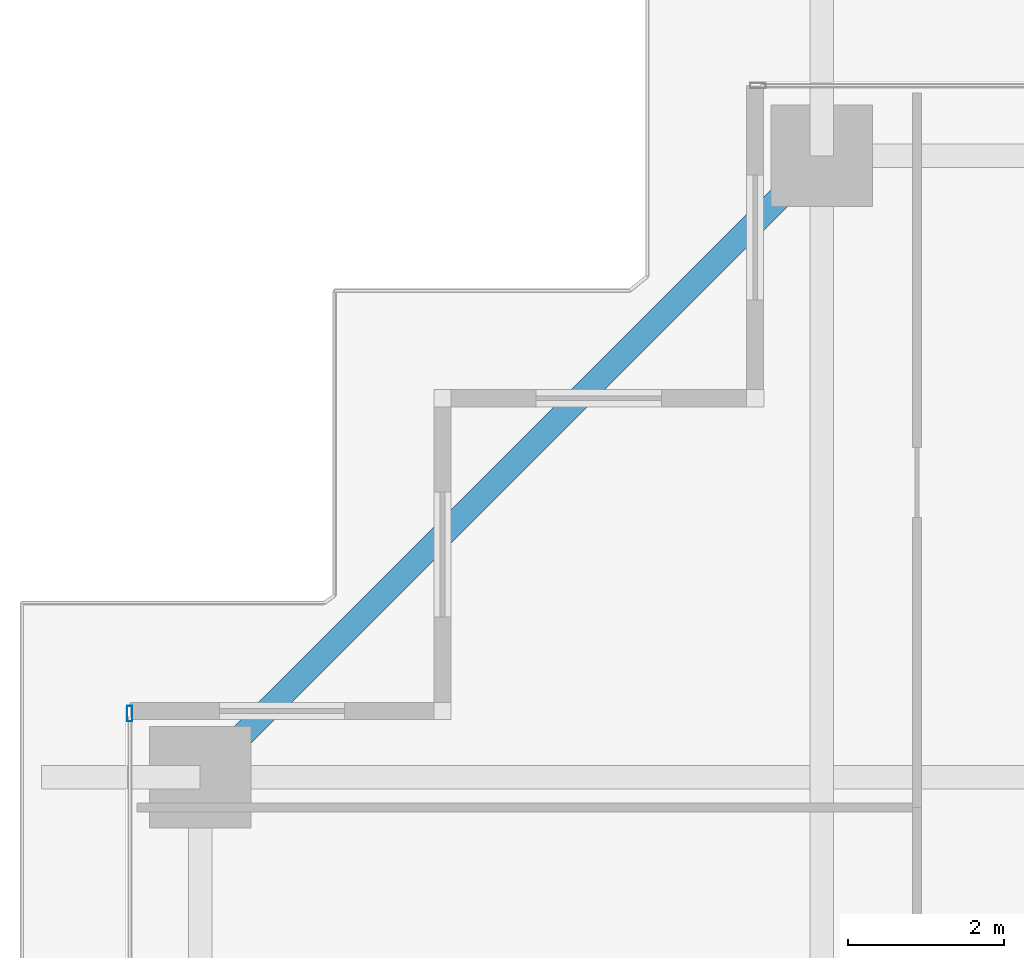
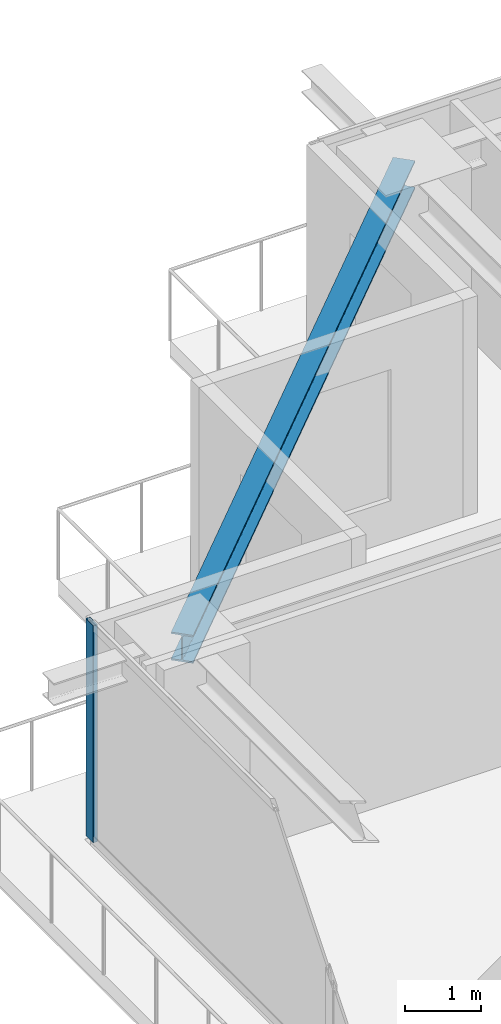
# One storey, part 19 of 38: 1 beam, 1 member, 1 element without a shape of its own.
"""IFC4 building model written with IfcOpenShell, lengths in metres."""

import ifcopenshell
import ifcopenshell.guid

model = None  # the IFC model being written
_history = None  # IfcOwnerHistory: only IFC2X3 demands one
_inside = {}  # id of a spatial element -> (the spatial element, [elements in it])
_under = {}  # id of a project, library or spatial element -> (it, [spatial elements below it])
_declared = {}  # id of a project -> (the project, [libraries it declares])
_typed = {}  # id of a type object -> (the type object, [elements of that type])
_made_of = {}  # id of a material, layer set ... -> (it, [elements and type objects made of it])


def new_model(schema):
    """Start an empty IFC model of exactly this schema.

    Asked for "IFC4X3", IfcOpenShell would pick the latest addendum, in which some entities
    have other attributes; the version numbers below select the first issue.
    IFC2X3 requires an IfcOwnerHistory on every rooted entity: one is made here for all.
    """
    global model, _history
    if schema == "IFC4X3":
        model = ifcopenshell.file(schema_version=(4, 3, 0, 0))
    else:
        model = ifcopenshell.file(schema=schema)
    _inside.clear()
    _under.clear()
    _declared.clear()
    _typed.clear()
    _made_of.clear()
    _history = None
    if model.schema == "IFC2X3":
        org = make("IfcOrganization", Name="unknown")
        user = make(
            "IfcPersonAndOrganization",
            ThePerson=make("IfcPerson", FamilyName="unknown"),
            TheOrganization=org,
        )
        app = make(
            "IfcApplication",
            ApplicationDeveloper=org,
            Version="unknown",
            ApplicationFullName="unknown",
            ApplicationIdentifier="unknown",
        )
        _history = make(
            "IfcOwnerHistory",
            OwningUser=user,
            OwningApplication=app,
            ChangeAction="ADDED",
            CreationDate=0,
        )
    return model


def make(cls, **values):
    """One entity of the class cls with the attributes given. An attribute that is None is left unset."""
    return model.create_entity(
        cls, **{name: value for name, value in values.items() if value is not None}
    )


def rooted(cls, **values):
    """An entity with a GlobalId (a new one), such as an element, a storey or a relation."""
    return make(cls, GlobalId=ifcopenshell.guid.new(), OwnerHistory=_history, **values)


def si_unit(unit_type, name, prefix=None):
    """IfcSIUnit, for example si_unit("LENGTHUNIT", "METRE", prefix="MILLI")."""
    return make("IfcSIUnit", UnitType=unit_type, Prefix=prefix, Name=name)


def assignment(units):
    """IfcUnitAssignment: the units of a project."""
    return None if units is None else make("IfcUnitAssignment", Units=units)


def point(xyz):
    """IfcCartesianPoint."""
    return None if xyz is None else make("IfcCartesianPoint", Coordinates=xyz)


def direction(xyz):
    """IfcDirection."""
    return None if xyz is None else make("IfcDirection", DirectionRatios=xyz)


def frame(location, z_axis=None, x_axis=None):
    """IfcAxis2Placement3D, a coordinate frame: its origin and axes. An axis left out is left unset."""
    return make(
        "IfcAxis2Placement3D",
        Location=point(location),
        Axis=direction(z_axis),
        RefDirection=direction(x_axis),
    )


def frame_2d(location, x_axis=None):
    """IfcAxis2Placement2D, a coordinate frame in the plane: its origin and x axis."""
    return make(
        "IfcAxis2Placement2D", Location=point(location), RefDirection=direction(x_axis)
    )


def origin():
    """The frame at (0, 0, 0) with its axes left unset."""
    return frame((0.0, 0.0, 0.0))


def origin_2d():
    """The frame at (0, 0) in the plane with its x axis left unset."""
    return frame_2d((0.0, 0.0))


def place(relative_to, where):
    """IfcLocalPlacement: puts the frame where relative to a parent placement (None: the world)."""
    return make(
        "IfcLocalPlacement", PlacementRelTo=relative_to, RelativePlacement=where
    )


def context(
    kind, dimensions, precision=None, world=None, true_north=None, identifier=None
):
    """IfcGeometricRepresentationContext, for example the 3D "Model" context."""
    return make(
        "IfcGeometricRepresentationContext",
        ContextIdentifier=identifier,
        ContextType=kind,
        CoordinateSpaceDimension=dimensions,
        Precision=precision,
        WorldCoordinateSystem=world,
        TrueNorth=true_north,
    )


def subcontext(parent, identifier, kind, view, scale=None):
    """IfcGeometricRepresentationSubContext, for example "Body" below "Model"."""
    return make(
        "IfcGeometricRepresentationSubContext",
        ContextIdentifier=identifier,
        ContextType=kind,
        ParentContext=parent,
        TargetScale=scale,
        TargetView=view,
    )


def project(units=None, contexts=None):
    """IfcProject with its units and contexts."""
    return rooted(
        "IfcProject",
        Name="project",
        RepresentationContexts=contexts,
        UnitsInContext=assignment(units),
    )


def spatial(cls, under=None, at=None, **own):
    """A site, building, storey or space (cls), placed at a placement, below another one or the project."""
    s = rooted(cls, ObjectPlacement=at, **own)
    if under is not None:
        _under.setdefault(under.id(), (under, []))[1].append(s)
    return s


def profile(cls, at=None, kind="AREA", **sizes):
    """A parametric profile (cls). Its sizes go by their IFC names, for example OverallWidth=200.0."""
    return make(cls, ProfileType=kind, Position=at, **sizes)


def hollow_rectangle(**sizes):
    """IfcRectangleHollowProfileDef."""
    return profile("IfcRectangleHollowProfileDef", **sizes)


def i_section(**sizes):
    """IfcIShapeProfileDef."""
    return profile("IfcIShapeProfileDef", **sizes)


def extrude(swept, where, along, depth):
    """IfcExtrudedAreaSolid: the profile swept, set in the frame where, extruded along a direction by depth."""
    return make(
        "IfcExtrudedAreaSolid",
        SweptArea=swept,
        Position=where,
        ExtrudedDirection=direction(along),
        Depth=depth,
    )


def shape(context_of_items, identifier, shape_type, items):
    """IfcShapeRepresentation: the items that make up one representation, for example the "Body"."""
    return make(
        "IfcShapeRepresentation",
        ContextOfItems=context_of_items,
        RepresentationIdentifier=identifier,
        RepresentationType=shape_type,
        Items=items,
    )


def source(mapping_origin, context_of_items, identifier, shape_type, items):
    """IfcRepresentationMap: a shape defined once, which mapped items show again and again."""
    return make(
        "IfcRepresentationMap",
        MappingOrigin=mapping_origin,
        MappedRepresentation=shape(context_of_items, identifier, shape_type, items),
    )


def transform(
    local_origin,
    x_axis=None,
    y_axis=None,
    z_axis=None,
    scale=None,
    scale2=None,
    scale3=None,
    uniform=True,
):
    """IfcCartesianTransformationOperator3D, or its non-uniform kind. x_axis, y_axis, z_axis: its Axis1, 2, 3."""
    if uniform:
        return make(
            "IfcCartesianTransformationOperator3D",
            Axis1=direction(x_axis),
            Axis2=direction(y_axis),
            LocalOrigin=point(local_origin),
            Scale=scale,
            Axis3=direction(z_axis),
        )
    return make(
        "IfcCartesianTransformationOperator3DnonUniform",
        Axis1=direction(x_axis),
        Axis2=direction(y_axis),
        LocalOrigin=point(local_origin),
        Scale=scale,
        Axis3=direction(z_axis),
        Scale2=scale2,
        Scale3=scale3,
    )


def mapped(mapping_source, mapping_target):
    """IfcMappedItem: shows the shape of a source again, moved by a transform."""
    return make(
        "IfcMappedItem", MappingSource=mapping_source, MappingTarget=mapping_target
    )


def material(Name=None, Category=None):
    """IfcMaterial."""
    return make("IfcMaterial", Name=Name, Category=Category)


def layer(
    of_material, thickness, ventilated=None, Name=None, Category=None, Priority=None
):
    """IfcMaterialLayer: one layer of a wall or slab, of a material (None: an air gap)."""
    return make(
        "IfcMaterialLayer",
        Material=of_material,
        LayerThickness=thickness,
        IsVentilated=ventilated,
        Name=Name,
        Category=Category,
        Priority=Priority,
    )


def layer_set(layers, Name=None):
    """IfcMaterialLayerSet."""
    return make("IfcMaterialLayerSet", MaterialLayers=layers, LayerSetName=Name)


def material_profile(
    of_material, cross_section, Name=None, Category=None, Priority=None
):
    """IfcMaterialProfile: a cross section and its material."""
    return make(
        "IfcMaterialProfile",
        Name=Name,
        Material=of_material,
        Profile=cross_section,
        Priority=Priority,
        Category=Category,
    )


def profile_set(profiles, Name=None, composite=None):
    """IfcMaterialProfileSet."""
    return make(
        "IfcMaterialProfileSet",
        Name=Name,
        MaterialProfiles=profiles,
        CompositeProfile=composite,
    )


def made_of(thing, what):
    """Note that an element or type object is made of a material, layer set ...; save() writes the relation."""
    if what is not None:
        _made_of.setdefault(what.id(), (what, []))[1].append(thing)
    return thing


def type_object(cls, material=None, **own):
    """A type object (cls), such as IfcWallType, which elements share."""
    return made_of(rooted(cls, **own), material)


def element(
    cls,
    number,
    at=None,
    inside=None,
    cuts=None,
    type_object=None,
    material=None,
    context=None,
    identifier="Body",
    shape_type=None,
    held_by="IfcProductDefinitionShape",
    body=None,
    shapes=None,
    **own,
):
    """One element of the class cls, such as IfcWall. Its Tag is "e" and its number.

    at: its placement. inside: the storey or other place that contains it. cuts: it is an
    opening in that element (IfcRelVoidsElement). A single representation is given by context,
    identifier, shape_type and body (its items); several are given by shapes. held_by: the class
    of the entity that holds the representations. save() writes the other relations.
    """
    e = rooted(cls, Tag="e%d" % number, ObjectPlacement=at, **own)
    if body is not None:
        shapes = [shape(context, identifier, shape_type, body)]
    if shapes is not None:
        e.Representation = make(held_by, Representations=shapes)
    if inside is not None:
        _inside.setdefault(inside.id(), (inside, []))[1].append(e)
    if cuts is not None:
        rooted(
            "IfcRelVoidsElement", RelatingBuildingElement=cuts, RelatedOpeningElement=e
        )
    if type_object is not None:
        _typed.setdefault(type_object.id(), (type_object, []))[1].append(e)
    return made_of(e, material)


def aggregate(whole, parts):
    """IfcRelAggregates: a whole, such as a stair, and the parts it consists of."""
    return rooted("IfcRelAggregates", RelatingObject=whole, RelatedObjects=parts)


def save(model, path):
    """Write the relations noted so far, then the file.

    IfcRelAggregates (storeys below a building ...), IfcRelContainedInSpatialStructure (elements
    in a storey), IfcRelDefinesByType, IfcRelAssociatesMaterial and IfcRelDeclares: one each for
    every whole, place, type object, material and project.
    """
    for whole, parts in _under.values():
        aggregate(whole, parts)
    for where, things in _inside.values():
        rooted(
            "IfcRelContainedInSpatialStructure",
            RelatedElements=things,
            RelatingStructure=where,
        )
    for kind, things in _typed.values():
        rooted("IfcRelDefinesByType", RelatedObjects=things, RelatingType=kind)
    for what, things in _made_of.values():
        rooted("IfcRelAssociatesMaterial", RelatedObjects=things, RelatingMaterial=what)
    for by, libraries in _declared.values():
        rooted("IfcRelDeclares", RelatingContext=by, RelatedDefinitions=libraries)
    model.write(path)


model = new_model("IFC4")

# Units and contexts
model_context = context("Model", 3, precision=1e-05, world=origin(), true_north=direction((0.0, 1.0)))
body_context = subcontext(model_context, "Body", "Model", "MODEL_VIEW")
ifc_project = project(units=[si_unit("LENGTHUNIT", "METRE"), si_unit("AREAUNIT", "SQUARE_METRE"), si_unit("VOLUMEUNIT", "CUBIC_METRE"), si_unit("PLANEANGLEUNIT", "RADIAN"), si_unit("MASSUNIT", "GRAM", prefix="KILO")], contexts=[model_context])

# Site, building, storey
site_placement = place(None, origin())
site = spatial("IfcSite", under=ifc_project, at=site_placement, CompositionType="ELEMENT")
building_placement = place(site_placement, origin())
building = spatial("IfcBuilding", under=site, at=building_placement, Name="Serunith Strait Residences", CompositionType="ELEMENT")
storey_placement = place(building_placement, frame((0.0, 0.0, 176.39990234375)))
storey = spatial("IfcBuildingStorey", under=building, at=storey_placement, Name="L44", CompositionType="ELEMENT", Elevation=176.39990234375)

# Beam
ifc_material_1 = material(Name="Steel S355J2", Category="steel")
ifc_material_profile_1 = material_profile(ifc_material_1, i_section(OverallWidth=0.300048828125, OverallDepth=0.449951171875, WebThickness=0.013916015625, FlangeThickness=0.02587890625, FilletRadius=0.027099609375, at=origin_2d()), Name="HEB 450")
ifc_profile_set_1 = profile_set([ifc_material_profile_1], Name="Steel S355J2")
beam_type = type_object("IfcBeamType", Name="BM-HEB450", PredefinedType="BEAM", material=ifc_profile_set_1)
shared_shape_1 = source(origin(), body_context, "Body", "SweptSolid", [
    extrude(i_section(OverallWidth=0.300048828125, OverallDepth=0.449951171875, WebThickness=0.013916015625, FlangeThickness=0.02587890625, FilletRadius=0.027099609375, at=origin_2d()), origin(), (0.0, 0.0, 1.0), 11.2431640625),
])
beam_placement = place(storey_placement, frame((16.64990234375, 48.10009765625, 3.232177734375), z_axis=(-0.707095923751, -0.707117638455, 0.0), x_axis=(0.707117638455, -0.707095923751, 0.0)))
element("IfcBeam", 1, at=beam_placement, inside=storey, type_object=beam_type, Name="L44 Perimeter Ring Beam 12", PredefinedType="BEAM", context=body_context, shape_type="MappedRepresentation", body=[
    mapped(shared_shape_1, transform((0.0, 0.0, 0.0), scale=1.0)),
])

# Curtain wall, member
ifc_material_2 = material(Name="Pale-Champagne Anodised Aluminium", Category="aluminium")
ifc_layer = layer(ifc_material_2, 0.199951171875, Name="Pale-Champagne Anodised Aluminium")
ifc_layer_set = layer_set([ifc_layer], Name="Pale-Champagne Anodised Aluminium")
curtain_wall_type = type_object("IfcCurtainWallType", Name="CW-SYS2", PredefinedType="NOTDEFINED", material=ifc_layer_set)
curtain_wall_placement = place(storey_placement, origin())
curtain_wall = element("IfcCurtainWall", 2, at=curtain_wall_placement, inside=storey, type_object=curtain_wall_type, Name="L44 W Unitised Fritted Curtain Wall", PredefinedType="NOTDEFINED")
ifc_material_profile_2 = material_profile(ifc_material_2, hollow_rectangle(XDim=0.070068359375, YDim=0.199951171875, WallThickness=0.00390625, InnerFilletRadius=0.006103515625, OuterFilletRadius=0.010009765625, at=origin_2d()), Name="ALU 200x70x4")
ifc_profile_set_2 = profile_set([ifc_material_profile_2], Name="Pale-Champagne Anodised Aluminium")
member_type = type_object("IfcMemberType", Name="CW-SYS2-MULL", PredefinedType="MULLION", material=ifc_profile_set_2)
shared_shape_2 = source(origin(), body_context, "Body", "SweptSolid", [
    extrude(hollow_rectangle(XDim=0.070068359375, YDim=0.199951171875, WallThickness=0.00390625, InnerFilletRadius=0.006103515625, OuterFilletRadius=0.010009765625, at=origin_2d()), origin(), (0.0, 0.0, 1.0), 3.47509765625),
])
member_placement = place(storey_placement, frame((7.800048828125, 40.965087890625, 0.0), z_axis=(0.0, 0.0, 1.0), x_axis=(1.0, 0.0, 0.0)))
member = element("IfcMember", 3, at=member_placement, type_object=member_type, Name="CW-2 mullion 1", PredefinedType="MULLION", context=body_context, shape_type="MappedRepresentation", body=[
    mapped(shared_shape_2, transform((0.0, 0.0, 0.0), scale=1.0)),
])
aggregate(curtain_wall, [member])

save(model, "model.ifc")
